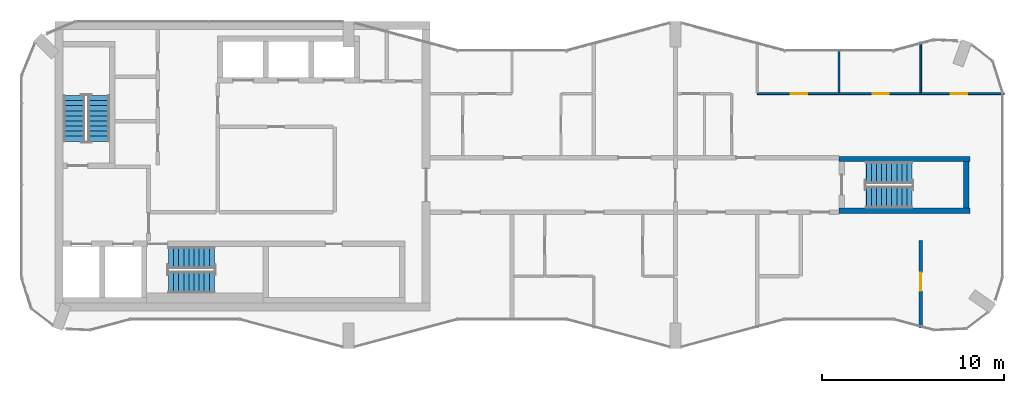
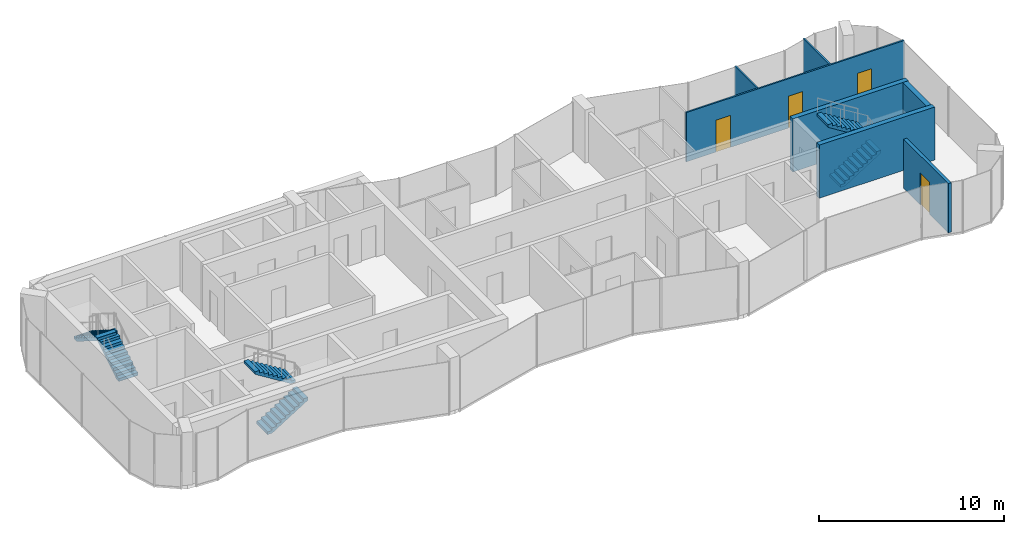
# One storey, part 9 of 10: 7 walls, 6 stair flights, 4 doors, 4 openings, 3 elements without a shape of their own.
"""IFC4 building model written with IfcOpenShell, lengths in metres."""

from ifc_helpers import new_model, si_unit, direction, frame, frame_2d, origin, place, context, subcontext, project, spatial, polyline, rectangle, outline, extrude, material, layer, layer_set, type_object, element, fill, aggregate, save


model = new_model("IFC4")

# Units and contexts
model_context = context("Model", 3, precision=1e-05, world=origin(), true_north=direction((0.0, 1.0)))
body_context = subcontext(model_context, "Body", "Model", "MODEL_VIEW")
ifc_project = project(units=[si_unit("LENGTHUNIT", "METRE"), si_unit("AREAUNIT", "SQUARE_METRE"), si_unit("VOLUMEUNIT", "CUBIC_METRE"), si_unit("PLANEANGLEUNIT", "RADIAN"), si_unit("MASSUNIT", "GRAM", prefix="KILO")], contexts=[model_context])

# Site, building, storey
site_placement = place(None, origin())
site = spatial("IfcSite", under=ifc_project, at=site_placement, CompositionType="ELEMENT")
building_placement = place(site_placement, origin())
building = spatial("IfcBuilding", under=site, at=building_placement, Name="Plateau Cross Towers", CompositionType="ELEMENT")
storey_placement = place(building_placement, frame((0.0, 0.0, 280.89990234375)))
storey = spatial("IfcBuildingStorey", under=building, at=storey_placement, Name="L74", CompositionType="ELEMENT", Elevation=280.89990234375)

# Wall, openings, doors
ifc_material_1 = material(Name="Gypsum board on steel studs", Category="steel")
ifc_layer_1 = layer(ifc_material_1, 0.10009765625)
ifc_layer_set_1 = layer_set([ifc_layer_1], Name="Gypsum board on steel studs")
wall_type_1 = type_object("IfcWallType", Name="Flat partition 100", PredefinedType="PARTITIONING", material=ifc_layer_set_1)
wall_1_placement = place(storey_placement, frame((40.5, 14.02490234375, 0.0), z_axis=(0.0, 0.0, 1.0), x_axis=(1.0, 0.0, 0.0)))
wall_1 = element("IfcWall", 1, at=wall_1_placement, inside=storey, type_object=wall_type_1, Name="Partition wall", PredefinedType="PARTITIONING", context=body_context, shape_type="SweptSolid", body=[
    extrude(rectangle(XDim=13.580078125, YDim=0.10009765625, at=frame_2d((6.7900390625, 0.0))), origin(), (0.0, 0.0, 1.0), 3.25),
])
opening_1_placement = place(wall_1_placement, frame((1.85009765625, 0.0, 0.0)))
opening_1 = element("IfcOpeningElement", 2, at=opening_1_placement, cuts=wall_1, Name="Opening 74-19", PredefinedType="OPENING", context=body_context, shape_type="SweptSolid", body=[
    extrude(rectangle(XDim=0.89990234375, YDim=2.10009765625, at=frame_2d((0.449951171875, 1.050048828125))), frame((0.0, 0.06005859375, 0.0), z_axis=(0.0, -1.0, 0.0), x_axis=(1.0, 0.0, 0.0)), (0.0, 0.0, 1.0), 0.1201171875),
])
opening_2_placement = place(wall_1_placement, frame((6.35009765625, 0.0, 0.0)))
opening_2 = element("IfcOpeningElement", 3, at=opening_2_placement, cuts=wall_1, Name="Opening 74-20", PredefinedType="OPENING", context=body_context, shape_type="SweptSolid", body=[
    extrude(rectangle(XDim=0.89990234375, YDim=2.10009765625, at=frame_2d((0.449951171875, 1.050048828125))), frame((0.0, 0.06005859375, 0.0), z_axis=(0.0, -1.0, 0.0), x_axis=(1.0, 0.0, 0.0)), (0.0, 0.0, 1.0), 0.1201171875),
])
opening_3_placement = place(wall_1_placement, frame((10.64990234375, 0.0, 0.0)))
opening_3 = element("IfcOpeningElement", 4, at=opening_3_placement, cuts=wall_1, Name="Opening 74-21", PredefinedType="OPENING", context=body_context, shape_type="SweptSolid", body=[
    extrude(rectangle(XDim=0.89990234375, YDim=2.10009765625, at=frame_2d((0.449951171875, 1.050048828125))), frame((0.0, 0.06005859375, 0.0), z_axis=(0.0, -1.0, 0.0), x_axis=(1.0, 0.0, 0.0)), (0.0, 0.0, 1.0), 0.1201171875),
])
ifc_material_2 = material(Name="Timber leaf", Category="wood")
door_type_1 = type_object("IfcDoorType", Name="Flat room door 900", OperationType="NOTDEFINED", PredefinedType="DOOR", material=ifc_material_2)
door_1_placement = place(opening_1_placement, origin())
door_1 = element("IfcDoor", 5, at=door_1_placement, inside=storey, type_object=door_type_1, Name="Door 74-19", OperationType="SINGLE_SWING_LEFT", OverallHeight=2.10009765625, OverallWidth=0.89990234375, PredefinedType="DOOR", context=body_context, shape_type="SweptSolid", body=[
    extrude(rectangle(XDim=0.89990234375, YDim=2.10009765625, at=frame_2d((0.449951171875, 1.050048828125))), frame((0.0, 0.02490234375, 0.0), z_axis=(0.0, -1.0, 0.0), x_axis=(1.0, 0.0, 0.0)), (0.0, 0.0, 1.0), 0.050048828125),
])
fill(opening_1, door_1)
door_2_placement = place(opening_2_placement, origin())
door_2 = element("IfcDoor", 6, at=door_2_placement, inside=storey, type_object=door_type_1, Name="Door 74-20", OperationType="SINGLE_SWING_RIGHT", OverallHeight=2.10009765625, OverallWidth=0.89990234375, PredefinedType="DOOR", context=body_context, shape_type="SweptSolid", body=[
    extrude(rectangle(XDim=0.89990234375, YDim=2.10009765625, at=frame_2d((0.449951171875, 1.050048828125))), frame((0.0, 0.02490234375, 0.0), z_axis=(0.0, -1.0, 0.0), x_axis=(1.0, 0.0, 0.0)), (0.0, 0.0, 1.0), 0.050048828125),
])
fill(opening_2, door_2)
door_3_placement = place(opening_3_placement, origin())
door_3 = element("IfcDoor", 7, at=door_3_placement, inside=storey, type_object=door_type_1, Name="Door 74-21", OperationType="SINGLE_SWING_RIGHT", OverallHeight=2.10009765625, OverallWidth=0.89990234375, PredefinedType="DOOR", context=body_context, shape_type="SweptSolid", body=[
    extrude(rectangle(XDim=0.89990234375, YDim=2.10009765625, at=frame_2d((0.449951171875, 1.050048828125))), frame((0.0, 0.02490234375, 0.0), z_axis=(0.0, -1.0, 0.0), x_axis=(1.0, 0.0, 0.0)), (0.0, 0.0, 1.0), 0.050048828125),
])
fill(opening_3, door_3)

# Walls
wall_2_placement = place(storey_placement, frame((45.0, 14.074951171875, 0.0), z_axis=(0.0, 0.0, 1.0), x_axis=(0.0, 1.0, 0.0)))
element("IfcWall", 8, at=wall_2_placement, inside=storey, type_object=wall_type_1, Name="Partition wall", PredefinedType="PARTITIONING", context=body_context, shape_type="SweptSolid", body=[
    extrude(rectangle(XDim=2.398193359375, YDim=0.10009765625, at=frame_2d((1.19921875, 0.0))), origin(), (0.0, 0.0, 1.0), 3.25),
])
wall_3_placement = place(storey_placement, frame((49.5, 14.074951171875, 0.0), z_axis=(0.0, 0.0, 1.0), x_axis=(0.0, 1.0, 0.0)))
element("IfcWall", 9, at=wall_3_placement, inside=storey, type_object=wall_type_1, Name="Partition wall", PredefinedType="PARTITIONING", context=body_context, shape_type="SweptSolid", body=[
    extrude(rectangle(XDim=2.802734375, YDim=0.10009765625, at=frame_2d((1.4013671875, 0.0))), origin(), (0.0, 0.0, 1.0), 3.25),
])

# Wall, opening, door
ifc_material_3 = material(Name="Gypsum board on steel studs, two layers each side", Category="steel")
ifc_layer_2 = layer(ifc_material_3, 0.199951171875)
ifc_layer_set_2 = layer_set([ifc_layer_2], Name="Gypsum board on steel studs, two layers each side")
wall_type_2 = type_object("IfcWallType", Name="Flat party wall 200", PredefinedType="PARTITIONING", material=ifc_layer_set_2)
wall_4_placement = place(storey_placement, frame((49.5, 1.122314453125, 0.0), z_axis=(0.0, 0.0, 1.0), x_axis=(0.0, 1.0, 0.0)))
wall_4 = element("IfcWall", 10, at=wall_4_placement, inside=storey, type_object=wall_type_2, Name="Party wall", PredefinedType="PARTITIONING", context=body_context, shape_type="SweptSolid", body=[
    extrude(rectangle(XDim=4.82763671875, YDim=0.199951171875, at=frame_2d((2.413818359375, 0.0))), origin(), (0.0, 0.0, 1.0), 3.25),
])
opening_4_placement = place(wall_4_placement, frame((2.050048828125, 0.0, 0.0)))
opening_4 = element("IfcOpeningElement", 11, at=opening_4_placement, cuts=wall_4, Name="Opening 74-10", PredefinedType="OPENING", context=body_context, shape_type="SweptSolid", body=[
    extrude(rectangle(XDim=1.0, YDim=2.10009765625, at=frame_2d((0.5, 1.050048828125))), frame((0.0, 0.10986328125, 0.0), z_axis=(0.0, -1.0, 0.0), x_axis=(1.0, 0.0, 0.0)), (0.0, 0.0, 1.0), 0.219970703125),
])
ifc_material_4 = material(Name="Timber, fire-resisting leaf", Category="wood")
door_type_2 = type_object("IfcDoorType", Name="Flat entrance door 1000", OperationType="NOTDEFINED", PredefinedType="DOOR", material=ifc_material_4)
door_4_placement = place(opening_4_placement, origin())
door_4 = element("IfcDoor", 12, at=door_4_placement, inside=storey, type_object=door_type_2, Name="Door 74-10", OperationType="SINGLE_SWING_RIGHT", OverallHeight=2.10009765625, OverallWidth=1.0, PredefinedType="DOOR", context=body_context, shape_type="SweptSolid", body=[
    extrude(rectangle(XDim=1.0, YDim=2.10009765625, at=frame_2d((0.5, 1.050048828125))), frame((0.0, 0.02490234375, 0.0), z_axis=(0.0, -1.0, 0.0), x_axis=(1.0, 0.0, 0.0)), (0.0, 0.0, 1.0), 0.050048828125),
])
fill(opening_4, door_4)

# Walls
ifc_material_5 = material(Name="Concrete C60/75", Category="concrete")
ifc_layer_3 = layer(ifc_material_5, 0.300048828125)
ifc_layer_set_3 = layer_set([ifc_layer_3], Name="Concrete C60/75")
wall_type_3 = type_object("IfcWallType", Name="Stair tower wall 300", PredefinedType="SHEAR", material=ifc_layer_set_3)
wall_5_placement = place(storey_placement, frame((52.0, 7.72509765625, 0.0), z_axis=(0.0, 0.0, 1.0), x_axis=(0.0, 1.0, 0.0)))
element("IfcWall", 13, at=wall_5_placement, inside=storey, type_object=wall_type_3, Name="A-end-E-E@L74", PredefinedType="SHEAR", context=body_context, shape_type="SweptSolid", body=[
    extrude(rectangle(XDim=2.5498046875, YDim=0.300048828125, at=frame_2d((1.27490234375, 0.0))), origin(), (0.0, 0.0, 1.0), 3.5),
])
for number, where, z_axis, x_axis, name in (
    (14, (45.0, 7.574951171875, 0.0), (0.0, 0.0, 1.0), (1.0, 0.0, 0.0), "A-end-E-S@L74"),
    (15, (45.0, 10.425048828125, 0.0), (0.0, 0.0, 1.0), (1.0, 0.0, 0.0), "A-end-E-N@L74"),
):
    element("IfcWall", number, at=place(storey_placement, frame(where, z_axis=z_axis, x_axis=x_axis)), inside=storey, type_object=wall_type_3, Name=name, PredefinedType="SHEAR", context=body_context, shape_type="SweptSolid", body=[
        extrude(rectangle(XDim=7.199951171875, YDim=0.300048828125, at=frame_2d((3.60009765625, 0.0))), origin(), (0.0, 0.0, 1.0), 3.5),
    ])

# Stair, stair flights
ifc_material_6 = material(Name="Concrete C40/50", Category="concrete")
stair_type = type_object("IfcStairType", Name="ST-TWR", PredefinedType="HALF_TURN_STAIR", material=ifc_material_6)
stair_1_placement = place(storey_placement, origin())
stair_1 = element("IfcStair", 16, at=stair_1_placement, inside=storey, type_object=stair_type, Name="L74 Protected Exit Stair ST-1", PredefinedType="HALF_TURN_STAIR")
stair_flight_type = type_object("IfcStairFlightType", Name="SFL-RC", PredefinedType="STRAIGHT", material=ifc_material_6)
stair_flight_1_placement = place(storey_placement, frame((4.25, 11.39990234375, 0.0), z_axis=(0.0, 0.0, 1.0), x_axis=(0.0, 1.0, 0.0)))
stair_flight_1 = element("IfcStairFlight", 17, at=stair_flight_1_placement, type_object=stair_flight_type, Name="ST-1 flight 1", NumberOfRisers=10, NumberOfTreads=9, PredefinedType="STRAIGHT", RiserHeight=0.175, TreadLength=0.28, context=body_context, shape_type="SweptSolid", body=[
    extrude(outline(polyline([(-0.0048828125, -0.010009765625), (-0.0048828125, 0.0), (0.0, 0.0), (0.0, 0.175048828125), (0.280029296875, 0.175048828125), (0.280029296875, 0.35009765625), (0.56005859375, 0.35009765625), (0.56005859375, 0.52490234375), (0.840087890625, 0.52490234375), (0.840087890625, 0.699951171875), (1.1201171875, 0.699951171875), (1.1201171875, 0.875), (1.39990234375, 0.875), (1.39990234375, 1.050048828125), (1.679931640625, 1.050048828125), (1.679931640625, 1.22509765625), (1.9599609375, 1.22509765625), (1.9599609375, 1.39990234375), (2.239990234375, 1.39990234375), (2.239990234375, 1.574951171875), (2.52001953125, 1.574951171875), (2.52490234375, 1.56494140625), (2.52490234375, 1.398193359375), (2.52001953125, 1.398193359375), (0.28271484375, 0.0), (0.02001953125, 0.0), (0.02001953125, -0.010009765625), (-0.0048828125, -0.010009765625)])), frame((0.0, 0.60009765625, 0.0), z_axis=(0.0, -1.0, 0.0), x_axis=(1.0, 0.0, 0.0)), (0.0, 0.0, 1.0), 1.199951171875),
])
stair_flight_2_placement = place(storey_placement, frame((2.89990234375, 13.919921875, 1.75), z_axis=(0.0, 0.0, 1.0), x_axis=(0.0, -1.0, 0.0)))
stair_flight_2 = element("IfcStairFlight", 18, at=stair_flight_2_placement, type_object=stair_flight_type, Name="ST-1 flight 2", NumberOfRisers=10, NumberOfTreads=9, PredefinedType="STRAIGHT", RiserHeight=0.175, TreadLength=0.28, context=body_context, shape_type="SweptSolid", body=[
    extrude(outline(polyline([(-0.0048828125, -0.010009765625), (-0.0048828125, 0.0), (0.0, 0.0), (0.0, 0.175048828125), (0.280029296875, 0.175048828125), (0.280029296875, 0.35009765625), (0.56005859375, 0.35009765625), (0.56005859375, 0.52490234375), (0.840087890625, 0.52490234375), (0.840087890625, 0.699951171875), (1.1201171875, 0.699951171875), (1.1201171875, 0.875), (1.39990234375, 0.875), (1.39990234375, 1.050048828125), (1.679931640625, 1.050048828125), (1.679931640625, 1.22509765625), (1.9599609375, 1.22509765625), (1.9599609375, 1.39990234375), (2.239990234375, 1.39990234375), (2.239990234375, 1.574951171875), (2.52001953125, 1.574951171875), (2.52490234375, 1.56494140625), (2.52490234375, 1.398193359375), (2.52001953125, 1.398193359375), (0.28271484375, 0.0), (0.02001953125, 0.0), (0.02001953125, -0.010009765625), (-0.0048828125, -0.010009765625)])), frame((0.0, 0.60009765625, 0.0), z_axis=(0.0, -1.0, 0.0), x_axis=(1.0, 0.0, 0.0)), (0.0, 0.0, 1.0), 1.199951171875),
])
aggregate(stair_1, [stair_flight_1, stair_flight_2])

stair_2_placement = place(storey_placement, origin())
stair_2 = element("IfcStair", 19, at=stair_2_placement, inside=storey, type_object=stair_type, Name="L74 Protected Exit Stair ST-2", PredefinedType="HALF_TURN_STAIR")
stair_flight_3_placement = place(storey_placement, frame((8.10009765625, 3.64990234375, 0.0), z_axis=(0.0, 0.0, 1.0), x_axis=(1.0, 0.0, 0.0)))
stair_flight_3 = element("IfcStairFlight", 20, at=stair_flight_3_placement, type_object=stair_flight_type, Name="ST-2 flight 1", NumberOfRisers=10, NumberOfTreads=9, PredefinedType="STRAIGHT", RiserHeight=0.175, TreadLength=0.28, context=body_context, shape_type="SweptSolid", body=[
    extrude(outline(polyline([(-0.0048828125, -0.010009765625), (-0.0048828125, 0.0), (0.0, 0.0), (0.0, 0.175048828125), (0.280029296875, 0.175048828125), (0.280029296875, 0.35009765625), (0.56005859375, 0.35009765625), (0.56005859375, 0.52490234375), (0.840087890625, 0.52490234375), (0.840087890625, 0.699951171875), (1.1201171875, 0.699951171875), (1.1201171875, 0.875), (1.39990234375, 0.875), (1.39990234375, 1.050048828125), (1.679931640625, 1.050048828125), (1.679931640625, 1.22509765625), (1.9599609375, 1.22509765625), (1.9599609375, 1.39990234375), (2.239990234375, 1.39990234375), (2.239990234375, 1.574951171875), (2.52001953125, 1.574951171875), (2.52490234375, 1.56494140625), (2.52490234375, 1.398193359375), (2.52001953125, 1.398193359375), (0.28271484375, 0.0), (0.02001953125, 0.0), (0.02001953125, -0.010009765625), (-0.0048828125, -0.010009765625)])), frame((0.0, 0.60009765625, 0.0), z_axis=(0.0, -1.0, 0.0), x_axis=(1.0, 0.0, 0.0)), (0.0, 0.0, 1.0), 1.199951171875),
])
stair_flight_4_placement = place(storey_placement, frame((10.6201171875, 5.0, 1.75), z_axis=(0.0, 0.0, 1.0), x_axis=(-1.0, 0.0, 0.0)))
stair_flight_4 = element("IfcStairFlight", 21, at=stair_flight_4_placement, type_object=stair_flight_type, Name="ST-2 flight 2", NumberOfRisers=10, NumberOfTreads=9, PredefinedType="STRAIGHT", RiserHeight=0.175, TreadLength=0.28, context=body_context, shape_type="SweptSolid", body=[
    extrude(outline(polyline([(-0.0048828125, -0.010009765625), (-0.0048828125, 0.0), (0.0, 0.0), (0.0, 0.175048828125), (0.280029296875, 0.175048828125), (0.280029296875, 0.35009765625), (0.56005859375, 0.35009765625), (0.56005859375, 0.52490234375), (0.840087890625, 0.52490234375), (0.840087890625, 0.699951171875), (1.1201171875, 0.699951171875), (1.1201171875, 0.875), (1.39990234375, 0.875), (1.39990234375, 1.050048828125), (1.679931640625, 1.050048828125), (1.679931640625, 1.22509765625), (1.9599609375, 1.22509765625), (1.9599609375, 1.39990234375), (2.239990234375, 1.39990234375), (2.239990234375, 1.574951171875), (2.52001953125, 1.574951171875), (2.52490234375, 1.56494140625), (2.52490234375, 1.398193359375), (2.52001953125, 1.398193359375), (0.28271484375, 0.0), (0.02001953125, 0.0), (0.02001953125, -0.010009765625), (-0.0048828125, -0.010009765625)])), frame((0.0, 0.60009765625, 0.0), z_axis=(0.0, -1.0, 0.0), x_axis=(1.0, 0.0, 0.0)), (0.0, 0.0, 1.0), 1.199951171875),
])
aggregate(stair_2, [stair_flight_3, stair_flight_4])

stair_3_placement = place(storey_placement, origin())
stair_3 = element("IfcStair", 22, at=stair_3_placement, inside=storey, type_object=stair_type, Name="L74 Protected Exit Stair E", PredefinedType="HALF_TURN_STAIR")
stair_flight_5_placement = place(storey_placement, frame((46.5, 8.324951171875, 0.0), z_axis=(0.0, 0.0, 1.0), x_axis=(1.0, 0.0, 0.0)))
stair_flight_5 = element("IfcStairFlight", 23, at=stair_flight_5_placement, type_object=stair_flight_type, Name="ES-E flight 1", NumberOfRisers=10, NumberOfTreads=9, PredefinedType="STRAIGHT", RiserHeight=0.175, TreadLength=0.28, context=body_context, shape_type="SweptSolid", body=[
    extrude(outline(polyline([(-0.0048828125, -0.010009765625), (-0.0048828125, 0.0), (0.0, 0.0), (0.0, 0.175048828125), (0.280029296875, 0.175048828125), (0.280029296875, 0.35009765625), (0.56005859375, 0.35009765625), (0.56005859375, 0.52490234375), (0.840087890625, 0.52490234375), (0.840087890625, 0.699951171875), (1.1201171875, 0.699951171875), (1.1201171875, 0.875), (1.39990234375, 0.875), (1.39990234375, 1.050048828125), (1.679931640625, 1.050048828125), (1.679931640625, 1.22509765625), (1.9599609375, 1.22509765625), (1.9599609375, 1.39990234375), (2.239990234375, 1.39990234375), (2.239990234375, 1.574951171875), (2.52001953125, 1.574951171875), (2.52490234375, 1.56494140625), (2.52490234375, 1.398193359375), (2.52001953125, 1.398193359375), (0.28271484375, 0.0), (0.02001953125, 0.0), (0.02001953125, -0.010009765625), (-0.0048828125, -0.010009765625)])), frame((0.0, 0.60009765625, 0.0), z_axis=(0.0, -1.0, 0.0), x_axis=(1.0, 0.0, 0.0)), (0.0, 0.0, 1.0), 1.199951171875),
])
stair_flight_6_placement = place(storey_placement, frame((49.02001953125, 9.675048828125, 1.75), z_axis=(0.0, 0.0, 1.0), x_axis=(-1.0, 0.0, 0.0)))
stair_flight_6 = element("IfcStairFlight", 24, at=stair_flight_6_placement, type_object=stair_flight_type, Name="ES-E flight 2", NumberOfRisers=10, NumberOfTreads=9, PredefinedType="STRAIGHT", RiserHeight=0.175, TreadLength=0.28, context=body_context, shape_type="SweptSolid", body=[
    extrude(outline(polyline([(-0.0048828125, -0.010009765625), (-0.0048828125, 0.0), (0.0, 0.0), (0.0, 0.175048828125), (0.280029296875, 0.175048828125), (0.280029296875, 0.35009765625), (0.56005859375, 0.35009765625), (0.56005859375, 0.52490234375), (0.840087890625, 0.52490234375), (0.840087890625, 0.699951171875), (1.1201171875, 0.699951171875), (1.1201171875, 0.875), (1.39990234375, 0.875), (1.39990234375, 1.050048828125), (1.679931640625, 1.050048828125), (1.679931640625, 1.22509765625), (1.9599609375, 1.22509765625), (1.9599609375, 1.39990234375), (2.239990234375, 1.39990234375), (2.239990234375, 1.574951171875), (2.52001953125, 1.574951171875), (2.52490234375, 1.56494140625), (2.52490234375, 1.398193359375), (2.52001953125, 1.398193359375), (0.28271484375, 0.0), (0.02001953125, 0.0), (0.02001953125, -0.010009765625), (-0.0048828125, -0.010009765625)])), frame((0.0, 0.60009765625, 0.0), z_axis=(0.0, -1.0, 0.0), x_axis=(1.0, 0.0, 0.0)), (0.0, 0.0, 1.0), 1.199951171875),
])
aggregate(stair_3, [stair_flight_5, stair_flight_6])

save(model, "model.ifc")
